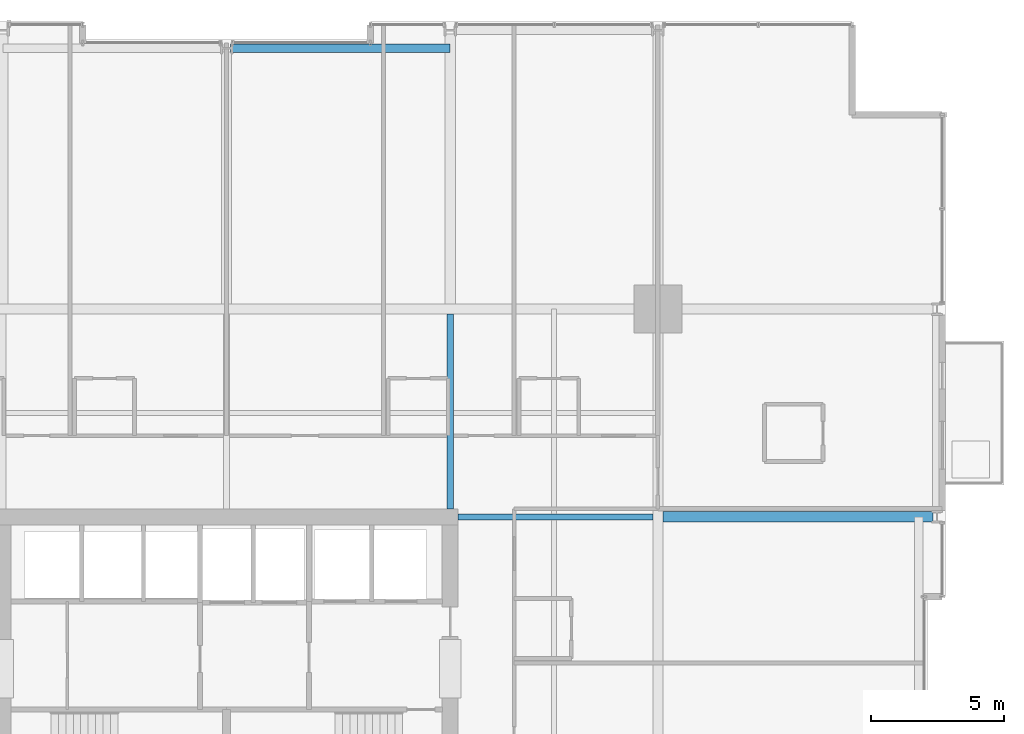
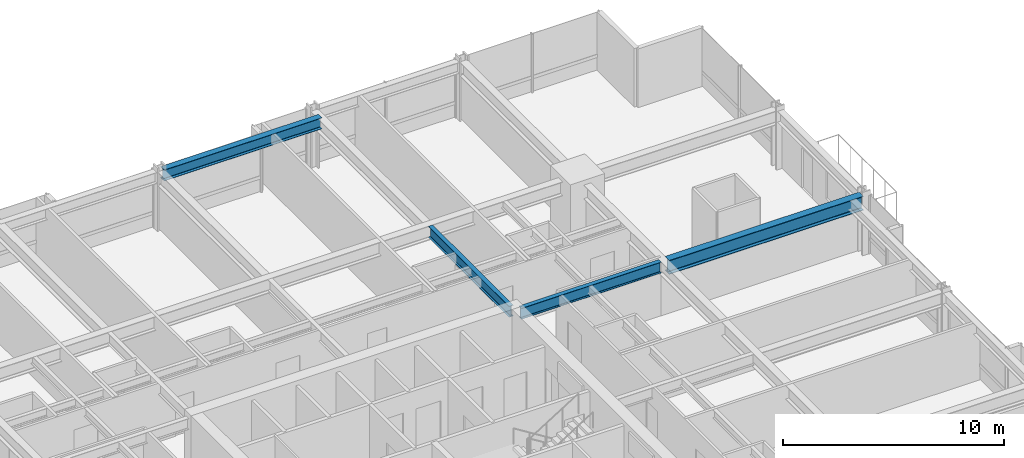
# One storey, part 24 of 38: 4 beams.
"""IFC4 building model written with IfcOpenShell, lengths in metres."""

from ifc_helpers import new_model, si_unit, direction, frame, origin, origin_2d, place, context, subcontext, project, spatial, i_section, extrude, material, material_profile, profile_set, type_object, element, save


model = new_model("IFC4")

# Units and contexts
model_context = context("Model", 3, precision=1e-05, world=origin(), true_north=direction((0.0, 1.0)))
body_context = subcontext(model_context, "Body", "Model", "MODEL_VIEW")
ifc_project = project(units=[si_unit("LENGTHUNIT", "METRE"), si_unit("AREAUNIT", "SQUARE_METRE"), si_unit("VOLUMEUNIT", "CUBIC_METRE"), si_unit("PLANEANGLEUNIT", "RADIAN"), si_unit("MASSUNIT", "GRAM", prefix="KILO")], contexts=[model_context])

# Site, building, storey
site_placement = place(None, origin())
site = spatial("IfcSite", under=ifc_project, at=site_placement, CompositionType="ELEMENT")
building_placement = place(site_placement, origin())
building = spatial("IfcBuilding", under=site, at=building_placement, Name="Drelvath Grand Hotel", CompositionType="ELEMENT")
storey_placement = place(building_placement, frame((0.0, 0.0, 68.199951171875)))
storey = spatial("IfcBuildingStorey", under=building, at=storey_placement, Name="L16", CompositionType="ELEMENT", Elevation=68.199951171875)

# Beams
ifc_material = material(Name="Steel ASTM A992 Gr 50", Category="steel")
ifc_material_profile_1 = material_profile(ifc_material, i_section(OverallWidth=0.323974609375, OverallDepth=0.611083984375, WebThickness=0.0126953125, FlangeThickness=0.01904296875, FilletRadius=0.02197265625, at=origin_2d()), Name="W24X104")
ifc_profile_set_1 = profile_set([ifc_material_profile_1], Name="Steel ASTM A992 Gr 50")
beam_type_1 = type_object("IfcBeamType", Name="Perimeter Spandrel Beam W24X104", PredefinedType="SPANDREL", material=ifc_profile_set_1)
beam_1_placement = place(storey_placement, frame((0.139892578125, 53.0, 2.9345703125), z_axis=(1.0, 0.0, 0.0), x_axis=(0.0, 1.0, 0.0)))
element("IfcBeam", 1, at=beam_1_placement, inside=storey, type_object=beam_type_1, Name="L16 Spandrel North Mid E", PredefinedType="SPANDREL", context=body_context, shape_type="SweptSolid", body=[
    extrude(i_section(OverallWidth=0.323974609375, OverallDepth=0.611083984375, WebThickness=0.0126953125, FlangeThickness=0.01904296875, FilletRadius=0.02197265625, at=origin_2d()), origin(), (0.0, 0.0, 1.0), 8.260009765625),
])
ifc_material_profile_2 = material_profile(ifc_material, i_section(OverallWidth=0.228271484375, OverallDepth=0.607666015625, WebThickness=0.01123046875, FlangeThickness=0.017333984375, FilletRadius=0.02001953125, at=origin_2d()), Name="W24X76")
ifc_profile_set_2 = profile_set([ifc_material_profile_2], Name="Steel ASTM A992 Gr 50")
beam_type_2 = type_object("IfcBeamType", Name="Primary Floor Girder W24X76", PredefinedType="BEAM", material=ifc_profile_set_2)
for number, where, z_axis, x_axis, name in (
    (2, (8.699951171875, 35.39990234375, 2.936279296875), (1.0, 0.0, 0.0), (0.0, 1.0, 0.0), "L16 East Core Tie F"),
    (3, (8.39990234375, 35.699951171875, 2.936279296875), (0.0, 1.0, 0.0), (-1.0, 0.0, 0.0), "L16 North Core Tie 6"),
):
    element("IfcBeam", number, at=place(storey_placement, frame(where, z_axis=z_axis, x_axis=x_axis)), inside=storey, type_object=beam_type_2, Name=name, PredefinedType="BEAM", context=body_context, shape_type="SweptSolid", body=[
        extrude(i_section(OverallWidth=0.228271484375, OverallDepth=0.607666015625, WebThickness=0.01123046875, FlangeThickness=0.017333984375, FilletRadius=0.02001953125, at=origin_2d()), origin(), (0.0, 0.0, 1.0), 7.309814453125),
    ])
ifc_material_profile_3 = material_profile(ifc_material, i_section(OverallWidth=0.380615234375, OverallDepth=0.773193359375, WebThickness=0.0166015625, FlangeThickness=0.027099609375, FilletRadius=0.02490234375, at=origin_2d()), Name="W30X173")
ifc_profile_set_3 = profile_set([ifc_material_profile_3], Name="Steel ASTM A992 Gr 50")
beam_type_3 = type_object("IfcBeamType", Name="Primary Floor Girder W30X173", PredefinedType="BEAM", material=ifc_profile_set_3)
beam_2_placement = place(storey_placement, frame((16.390380859375, 35.39990234375, 2.853515625), z_axis=(1.0, 0.0, 0.0), x_axis=(0.0, 1.0, 0.0)))
element("IfcBeam", 4, at=beam_2_placement, inside=storey, type_object=beam_type_3, Name="L16 East Wing Girder F", PredefinedType="BEAM", context=body_context, shape_type="SweptSolid", body=[
    extrude(i_section(OverallWidth=0.380615234375, OverallDepth=0.773193359375, WebThickness=0.0166015625, FlangeThickness=0.027099609375, FilletRadius=0.02490234375, at=origin_2d()), origin(), (0.0, 0.0, 1.0), 10.149658203125),
])

save(model, "model.ifc")
